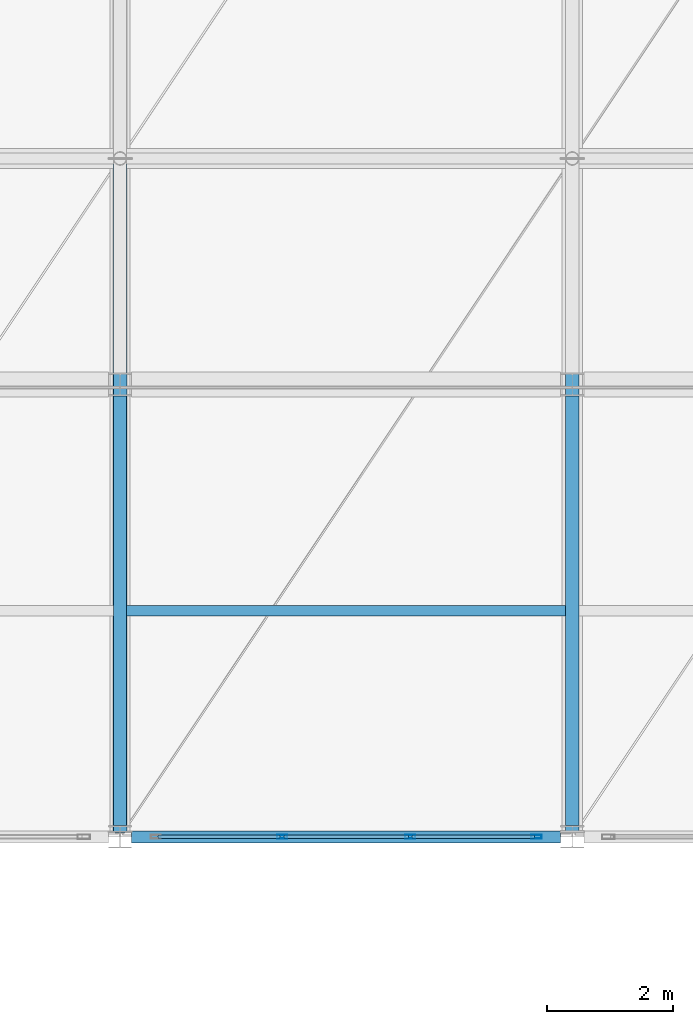
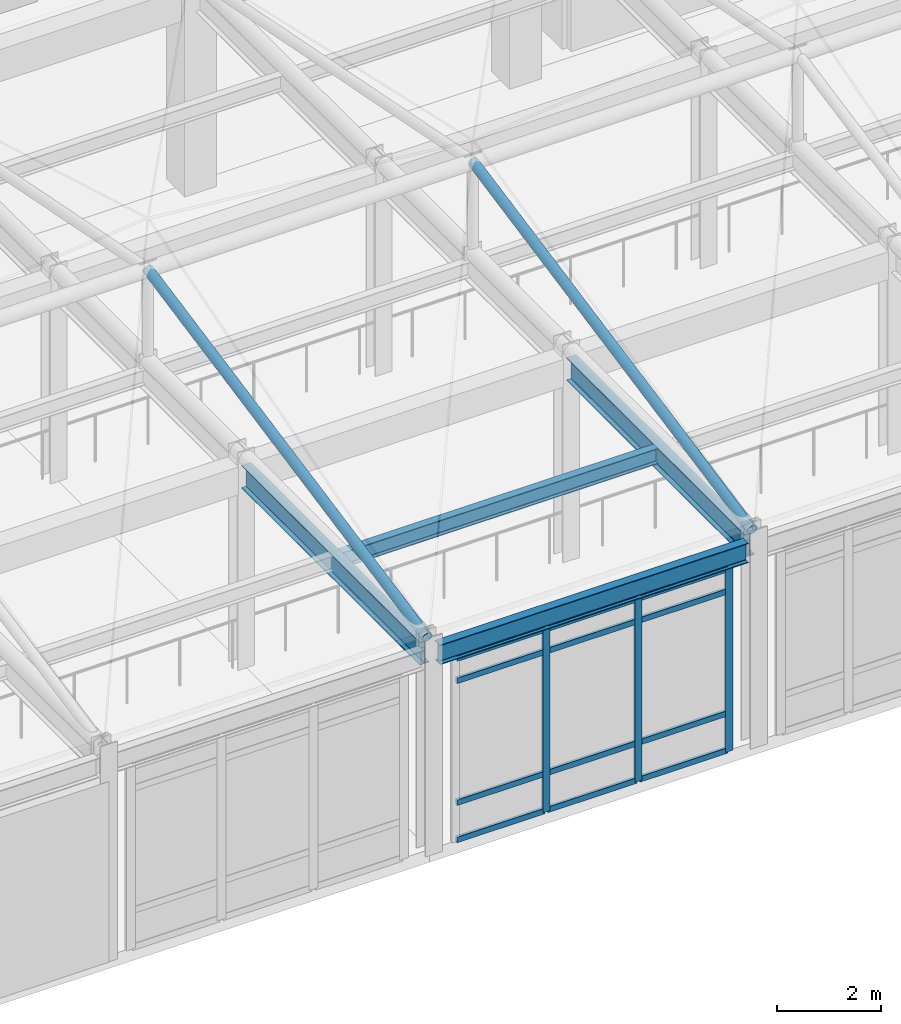
# One storey, part 36 of 117: 17 members, 4 beams, 1 element without a shape of its own.
"""IFC4 building model written with IfcOpenShell, lengths in metres."""

from ifc_helpers import new_model, si_unit, direction, frame, origin, origin_2d, place, context, subcontext, project, spatial, hollow_rectangle, hollow_circle, i_section, extrude, material, layer, layer_set, material_profile, profile_set, type_object, element, aggregate, save


model = new_model("IFC4")

# Units and contexts
model_context = context("Model", 3, precision=1e-05, world=origin(), true_north=direction((0.0, 1.0)))
body_context = subcontext(model_context, "Body", "Model", "MODEL_VIEW")
ifc_project = project(units=[si_unit("LENGTHUNIT", "METRE"), si_unit("AREAUNIT", "SQUARE_METRE"), si_unit("VOLUMEUNIT", "CUBIC_METRE"), si_unit("PLANEANGLEUNIT", "RADIAN"), si_unit("MASSUNIT", "GRAM", prefix="KILO")], contexts=[model_context])

# Site, building, storey
site_placement = place(None, origin())
site = spatial("IfcSite", under=ifc_project, at=site_placement, CompositionType="ELEMENT")
building_placement = place(site_placement, origin())
building = spatial("IfcBuilding", under=site, at=building_placement, Name="Carrowvane Square Congress Hotel", CompositionType="ELEMENT")
storey_placement = place(building_placement, frame((0.0, 0.0, 5.39990234375)))
storey = spatial("IfcBuildingStorey", under=building, at=storey_placement, Name="L01", CompositionType="ELEMENT", Elevation=5.39990234375)

# Beams
ifc_material_1 = material(Name="Steel S355", Category="steel")
ifc_material_profile_1 = material_profile(ifc_material_1, i_section(OverallWidth=0.172119140625, OverallDepth=0.35791015625, WebThickness=0.008056640625, FlangeThickness=0.012939453125, FilletRadius=0.01025390625, at=origin_2d()), Name="UKB 356x171x57")
ifc_profile_set_1 = profile_set([ifc_material_profile_1], Name="Steel S355")
beam_type_1 = type_object("IfcBeamType", Name="BM-ST-UKB356", PredefinedType="JOIST", material=ifc_profile_set_1)
beam_1_placement = place(storey_placement, frame((83.705078125, 73.800048828125, 4.60107421875), z_axis=(1.0, 0.0, 0.0), x_axis=(0.0, 1.0, 0.0)))
element("IfcBeam", 1, at=beam_1_placement, inside=storey, type_object=beam_type_1, Name="L02 secondary joist 11-12", PredefinedType="JOIST", context=body_context, shape_type="SweptSolid", body=[
    extrude(i_section(OverallWidth=0.172119140625, OverallDepth=0.35791015625, WebThickness=0.008056640625, FlangeThickness=0.012939453125, FilletRadius=0.01025390625, at=origin_2d()), origin(), (0.0, 0.0, 1.0), 6.989990234375),
])
ifc_material_2 = material(Name="Steel S355", Category="steel")
ifc_material_profile_2 = material_profile(ifc_material_2, i_section(OverallWidth=0.19140625, OverallDepth=0.4599609375, WebThickness=0.010009765625, FlangeThickness=0.01611328125, FilletRadius=0.01025390625, at=origin_2d()), Name="UKB 457x191x82")
ifc_profile_set_2 = profile_set([ifc_material_profile_2], Name="Steel S355")
beam_type_2 = type_object("IfcBeamType", Name="BM-ST-UKB457", PredefinedType="SPANDREL", material=ifc_profile_set_2)
beam_2_placement = place(storey_placement, frame((83.78515625, 70.199951171875, 4.550048828125), z_axis=(1.0, 0.0, 0.0), x_axis=(0.0, 1.0, 0.0)))
element("IfcBeam", 2, at=beam_2_placement, inside=storey, type_object=beam_type_2, Name="L02 girder K/11-12", PredefinedType="SPANDREL", context=body_context, shape_type="SweptSolid", body=[
    extrude(i_section(OverallWidth=0.19140625, OverallDepth=0.4599609375, WebThickness=0.010009765625, FlangeThickness=0.01611328125, FilletRadius=0.01025390625, at=origin_2d()), origin(), (0.0, 0.0, 1.0), 6.82958984375),
])
ifc_material_3 = material(Name="Steel S355", Category="steel")
ifc_material_profile_3 = material_profile(ifc_material_3, i_section(OverallWidth=0.2099609375, OverallDepth=0.53662109375, WebThickness=0.0107421875, FlangeThickness=0.017333984375, FilletRadius=0.0126953125, at=origin_2d()), Name="UKB 533x210x101")
ifc_profile_set_3 = profile_set([ifc_material_profile_3], Name="Steel S355")
beam_type_3 = type_object("IfcBeamType", Name="BM-ST-UKB533", PredefinedType="USERDEFINED", material=ifc_profile_set_3)
for number, where, z_axis, x_axis, name in (
    (3, (83.60009765625, 70.381103515625, 4.51171875), (0.0, 1.0, 0.0), (-1.0, 0.0, 0.0), "L02 girder 11/K-L"),
    (4, (90.800048828125, 70.381103515625, 4.51171875), (0.0, 1.0, 0.0), (-1.0, 0.0, 0.0), "L02 girder 12/K-L"),
):
    element("IfcBeam", number, at=place(storey_placement, frame(where, z_axis=z_axis, x_axis=x_axis)), inside=storey, type_object=beam_type_3, Name=name, ObjectType="GIRDER", PredefinedType="USERDEFINED", context=body_context, shape_type="SweptSolid", body=[
        extrude(i_section(OverallWidth=0.2099609375, OverallDepth=0.53662109375, WebThickness=0.0107421875, FlangeThickness=0.017333984375, FilletRadius=0.0126953125, at=origin_2d()), origin(), (0.0, 0.0, 1.0), 6.837890625),
    ])

# Curtain wall, members
ifc_material_4 = material(Name="Anodised aluminium", Category="aluminium")
ifc_layer = layer(ifc_material_4, 0.18603515625)
ifc_layer_set = layer_set([ifc_layer], Name="Anodised aluminium")
curtain_wall_type = type_object("IfcCurtainWallType", Name="CW-SYS-3", PredefinedType="NOTDEFINED", material=ifc_layer_set)
curtain_wall_placement = place(storey_placement, origin())
curtain_wall = element("IfcCurtainWall", 5, at=curtain_wall_placement, inside=storey, type_object=curtain_wall_type, Name="L01 unitised curtain wall 122", PredefinedType="NOTDEFINED")
ifc_material_5 = material(Name="Anodised aluminium", Category="aluminium")
ifc_material_profile_4 = material_profile(ifc_material_5, hollow_rectangle(XDim=0.06005859375, YDim=0.159912109375, WallThickness=0.00390625, at=origin_2d()), Name="CW-ML 60x160x4")
ifc_profile_set_4 = profile_set([ifc_material_profile_4], Name="Anodised aluminium")
member_type_1 = type_object("IfcMemberType", Name="CW-MUL-1", PredefinedType="MULLION", material=ifc_profile_set_4)
member_1_placement = place(storey_placement, frame((90.22998046875, 70.199951171875, 0.0), z_axis=(0.0, 0.0, 1.0), x_axis=(0.0, -1.0, 0.0)))
member_1 = element("IfcMember", 6, at=member_1_placement, type_object=member_type_1, Name="CW-3 mullion 1", PredefinedType="MULLION", context=body_context, shape_type="SweptSolid", body=[
    extrude(hollow_rectangle(XDim=0.06005859375, YDim=0.159912109375, WallThickness=0.00390625, at=origin_2d()), origin(), (0.0, 0.0, 1.0), 4.30517578125),
])
member_2_placement = place(storey_placement, frame((88.219970703125, 70.199951171875, 0.0), z_axis=(0.0, 0.0, 1.0), x_axis=(0.0, -1.0, 0.0)))
member_2 = element("IfcMember", 7, at=member_2_placement, type_object=member_type_1, Name="CW-3 mullion 2", PredefinedType="MULLION", context=body_context, shape_type="SweptSolid", body=[
    extrude(hollow_rectangle(XDim=0.06005859375, YDim=0.159912109375, WallThickness=0.00390625, at=origin_2d()), origin(), (0.0, 0.0, 1.0), 4.30517578125),
])
member_3_placement = place(storey_placement, frame((86.179931640625, 70.199951171875, 0.0), z_axis=(0.0, 0.0, 1.0), x_axis=(0.0, -1.0, 0.0)))
member_3 = element("IfcMember", 8, at=member_3_placement, type_object=member_type_1, Name="CW-3 mullion 3", PredefinedType="MULLION", context=body_context, shape_type="SweptSolid", body=[
    extrude(hollow_rectangle(XDim=0.06005859375, YDim=0.159912109375, WallThickness=0.00390625, at=origin_2d()), origin(), (0.0, 0.0, 1.0), 4.30517578125),
])
ifc_material_6 = material(Name="Anodised aluminium", Category="aluminium")
ifc_material_profile_5 = material_profile(ifc_material_6, hollow_rectangle(XDim=0.06005859375, YDim=0.1298828125, WallThickness=0.00390625, at=origin_2d()), Name="CW-TR 60x130x4")
ifc_profile_set_5 = profile_set([ifc_material_profile_5], Name="Anodised aluminium")
member_type_2 = type_object("IfcMemberType", Name="CW-TRN-1", PredefinedType="USERDEFINED", material=ifc_profile_set_5)
member_4_placement = place(storey_placement, frame((90.199951171875, 70.199951171875, 0.030029296875), z_axis=(-1.0, 0.0, 0.0), x_axis=(0.0, -1.0, 0.0)))
member_4 = element("IfcMember", 9, at=member_4_placement, type_object=member_type_2, Name="CW-3 transom 1.1", ObjectType="TRANSOM", PredefinedType="USERDEFINED", context=body_context, shape_type="SweptSolid", body=[
    extrude(hollow_rectangle(XDim=0.06005859375, YDim=0.1298828125, WallThickness=0.00390625, at=origin_2d()), origin(), (0.0, 0.0, 1.0), 1.949951171875),
])
member_5_placement = place(storey_placement, frame((90.199951171875, 70.199951171875, 0.900146484375), z_axis=(-1.0, 0.0, 0.0), x_axis=(0.0, -1.0, 0.0)))
member_5 = element("IfcMember", 10, at=member_5_placement, type_object=member_type_2, Name="CW-3 transom 1.2", ObjectType="TRANSOM", PredefinedType="USERDEFINED", context=body_context, shape_type="SweptSolid", body=[
    extrude(hollow_rectangle(XDim=0.06005859375, YDim=0.1298828125, WallThickness=0.00390625, at=origin_2d()), origin(), (0.0, 0.0, 1.0), 1.949951171875),
])
member_6_placement = place(storey_placement, frame((90.199951171875, 70.199951171875, 3.755126953125), z_axis=(-1.0, 0.0, 0.0), x_axis=(0.0, -1.0, 0.0)))
member_6 = element("IfcMember", 11, at=member_6_placement, type_object=member_type_2, Name="CW-3 transom 1.3", ObjectType="TRANSOM", PredefinedType="USERDEFINED", context=body_context, shape_type="SweptSolid", body=[
    extrude(hollow_rectangle(XDim=0.06005859375, YDim=0.1298828125, WallThickness=0.00390625, at=origin_2d()), origin(), (0.0, 0.0, 1.0), 1.949951171875),
])
member_7_placement = place(storey_placement, frame((90.199951171875, 70.199951171875, 4.275146484375), z_axis=(-1.0, 0.0, 0.0), x_axis=(0.0, -1.0, 0.0)))
member_7 = element("IfcMember", 12, at=member_7_placement, type_object=member_type_2, Name="CW-3 transom 1.4", ObjectType="TRANSOM", PredefinedType="USERDEFINED", context=body_context, shape_type="SweptSolid", body=[
    extrude(hollow_rectangle(XDim=0.06005859375, YDim=0.1298828125, WallThickness=0.00390625, at=origin_2d()), origin(), (0.0, 0.0, 1.0), 1.949951171875),
])
member_8_placement = place(storey_placement, frame((88.18994140625, 70.199951171875, 0.030029296875), z_axis=(-1.0, 0.0, 0.0), x_axis=(0.0, -1.0, 0.0)))
member_8 = element("IfcMember", 13, at=member_8_placement, type_object=member_type_2, Name="CW-3 transom 2.1", ObjectType="TRANSOM", PredefinedType="USERDEFINED", context=body_context, shape_type="SweptSolid", body=[
    extrude(hollow_rectangle(XDim=0.06005859375, YDim=0.1298828125, WallThickness=0.00390625, at=origin_2d()), origin(), (0.0, 0.0, 1.0), 1.97998046875),
])
member_9_placement = place(storey_placement, frame((88.18994140625, 70.199951171875, 0.900146484375), z_axis=(-1.0, 0.0, 0.0), x_axis=(0.0, -1.0, 0.0)))
member_9 = element("IfcMember", 14, at=member_9_placement, type_object=member_type_2, Name="CW-3 transom 2.2", ObjectType="TRANSOM", PredefinedType="USERDEFINED", context=body_context, shape_type="SweptSolid", body=[
    extrude(hollow_rectangle(XDim=0.06005859375, YDim=0.1298828125, WallThickness=0.00390625, at=origin_2d()), origin(), (0.0, 0.0, 1.0), 1.97998046875),
])
member_10_placement = place(storey_placement, frame((88.18994140625, 70.199951171875, 3.755126953125), z_axis=(-1.0, 0.0, 0.0), x_axis=(0.0, -1.0, 0.0)))
member_10 = element("IfcMember", 15, at=member_10_placement, type_object=member_type_2, Name="CW-3 transom 2.3", ObjectType="TRANSOM", PredefinedType="USERDEFINED", context=body_context, shape_type="SweptSolid", body=[
    extrude(hollow_rectangle(XDim=0.06005859375, YDim=0.1298828125, WallThickness=0.00390625, at=origin_2d()), origin(), (0.0, 0.0, 1.0), 1.97998046875),
])
member_11_placement = place(storey_placement, frame((88.18994140625, 70.199951171875, 4.275146484375), z_axis=(-1.0, 0.0, 0.0), x_axis=(0.0, -1.0, 0.0)))
member_11 = element("IfcMember", 16, at=member_11_placement, type_object=member_type_2, Name="CW-3 transom 2.4", ObjectType="TRANSOM", PredefinedType="USERDEFINED", context=body_context, shape_type="SweptSolid", body=[
    extrude(hollow_rectangle(XDim=0.06005859375, YDim=0.1298828125, WallThickness=0.00390625, at=origin_2d()), origin(), (0.0, 0.0, 1.0), 1.97998046875),
])
member_12_placement = place(storey_placement, frame((86.14990234375, 70.199951171875, 0.030029296875), z_axis=(-1.0, 0.0, 0.0), x_axis=(0.0, -1.0, 0.0)))
member_12 = element("IfcMember", 17, at=member_12_placement, type_object=member_type_2, Name="CW-3 transom 3.1", ObjectType="TRANSOM", PredefinedType="USERDEFINED", context=body_context, shape_type="SweptSolid", body=[
    extrude(hollow_rectangle(XDim=0.06005859375, YDim=0.1298828125, WallThickness=0.00390625, at=origin_2d()), origin(), (0.0, 0.0, 1.0), 1.949951171875),
])
member_13_placement = place(storey_placement, frame((86.14990234375, 70.199951171875, 0.900146484375), z_axis=(-1.0, 0.0, 0.0), x_axis=(0.0, -1.0, 0.0)))
member_13 = element("IfcMember", 18, at=member_13_placement, type_object=member_type_2, Name="CW-3 transom 3.2", ObjectType="TRANSOM", PredefinedType="USERDEFINED", context=body_context, shape_type="SweptSolid", body=[
    extrude(hollow_rectangle(XDim=0.06005859375, YDim=0.1298828125, WallThickness=0.00390625, at=origin_2d()), origin(), (0.0, 0.0, 1.0), 1.949951171875),
])
member_14_placement = place(storey_placement, frame((86.14990234375, 70.199951171875, 3.755126953125), z_axis=(-1.0, 0.0, 0.0), x_axis=(0.0, -1.0, 0.0)))
member_14 = element("IfcMember", 19, at=member_14_placement, type_object=member_type_2, Name="CW-3 transom 3.3", ObjectType="TRANSOM", PredefinedType="USERDEFINED", context=body_context, shape_type="SweptSolid", body=[
    extrude(hollow_rectangle(XDim=0.06005859375, YDim=0.1298828125, WallThickness=0.00390625, at=origin_2d()), origin(), (0.0, 0.0, 1.0), 1.949951171875),
])
member_15_placement = place(storey_placement, frame((86.14990234375, 70.199951171875, 4.275146484375), z_axis=(-1.0, 0.0, 0.0), x_axis=(0.0, -1.0, 0.0)))
member_15 = element("IfcMember", 20, at=member_15_placement, type_object=member_type_2, Name="CW-3 transom 3.4", ObjectType="TRANSOM", PredefinedType="USERDEFINED", context=body_context, shape_type="SweptSolid", body=[
    extrude(hollow_rectangle(XDim=0.06005859375, YDim=0.1298828125, WallThickness=0.00390625, at=origin_2d()), origin(), (0.0, 0.0, 1.0), 1.949951171875),
])
aggregate(curtain_wall, [member_1, member_2, member_3, member_4, member_5, member_6, member_7, member_8, member_9, member_10, member_11, member_12, member_13, member_14, member_15])

# Members
ifc_material_7 = material(Name="Steel S355", Category="steel")
ifc_material_profile_6 = material_profile(ifc_material_7, hollow_circle(Radius=0.109619140625, WallThickness=0.012451171875, at=origin_2d()), Name="CHS 219.1x12.5")
ifc_profile_set_6 = profile_set([ifc_material_profile_6], Name="Steel S355")
member_type_3 = type_object("IfcMemberType", Name="MEM-ST-CHS219", PredefinedType="STRUT", material=ifc_profile_set_6)
for number, where, z_axis, x_axis, name in (
    (21, (83.60009765625, 70.280029296875, 4.920166015625), (0.0, 0.980904965039, 0.19448765915), (-1.0, 0.0, 0.0), "Public passage canopy strut S-2"),
    (22, (90.800048828125, 70.280029296875, 4.920166015625), (0.0, 0.980904965039, 0.19448765915), (-1.0, 0.0, 0.0), "Public passage canopy strut S-3"),
):
    element("IfcMember", number, at=place(storey_placement, frame(where, z_axis=z_axis, x_axis=x_axis)), inside=storey, type_object=member_type_3, Name=name, PredefinedType="STRUT", context=body_context, shape_type="SweptSolid", body=[
        extrude(hollow_circle(Radius=0.109619140625, WallThickness=0.012451171875, at=origin_2d()), origin(), (0.0, 0.0, 1.0), 10.9287109375),
    ])

save(model, "model.ifc")
